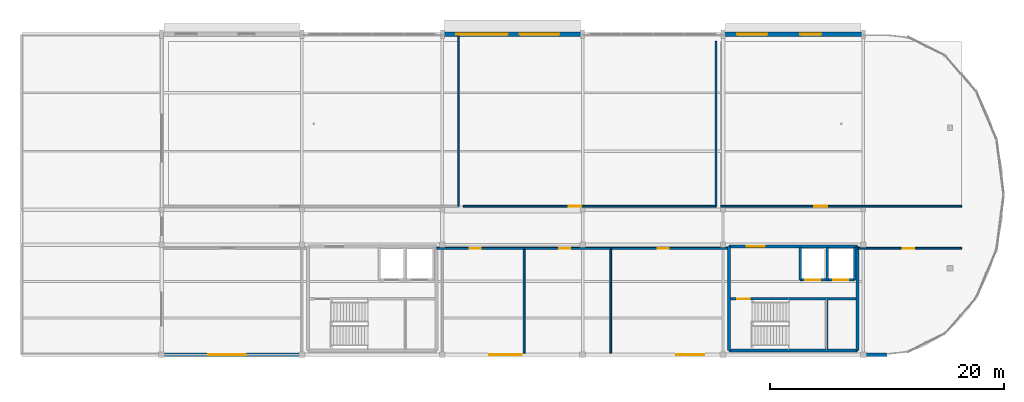
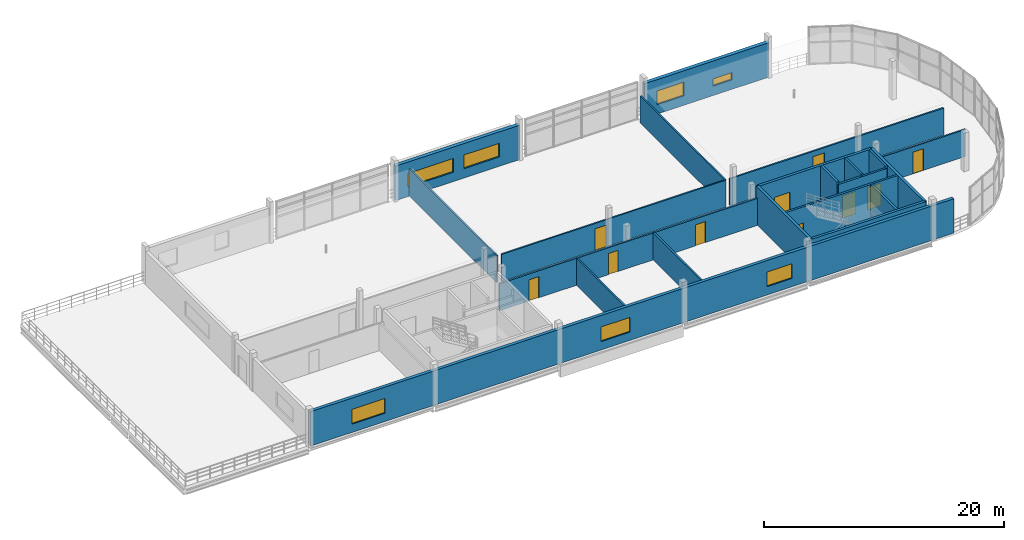
# One storey, part 8 of 13: 23 walls, 10 doors, 7 windows, 17 openings.
"""IFC4 building model written with IfcOpenShell, lengths in metres."""

from ifc_helpers import new_model, si_unit, direction, frame, frame_2d, origin, place, context, subcontext, project, spatial, rectangle, extrude, material, layer, layer_set, type_object, element, fill, save


model = new_model("IFC4")

# Units and contexts
model_context = context("Model", 3, precision=1e-05, world=origin(), true_north=direction((0.0, 1.0)))
body_context = subcontext(model_context, "Body", "Model", "MODEL_VIEW")
ifc_project = project(units=[si_unit("LENGTHUNIT", "METRE"), si_unit("AREAUNIT", "SQUARE_METRE"), si_unit("VOLUMEUNIT", "CUBIC_METRE"), si_unit("PLANEANGLEUNIT", "RADIAN"), si_unit("MASSUNIT", "GRAM", prefix="KILO"), si_unit("THERMODYNAMICTEMPERATUREUNIT", "KELVIN"), si_unit("POWERUNIT", "WATT")], contexts=[model_context])

# Site, building, storey
site_placement = place(None, origin())
site = spatial("IfcSite", under=ifc_project, at=site_placement, CompositionType="ELEMENT")
building_placement = place(site_placement, origin())
building = spatial("IfcBuilding", under=site, at=building_placement, Name="Solmara Park Aquatics Centre", CompositionType="ELEMENT")
storey_placement = place(building_placement, frame((0.0, 0.0, 14.39990234375)))
storey = spatial("IfcBuildingStorey", under=building, at=storey_placement, Name="L03", CompositionType="ELEMENT", Elevation=14.39990234375)

# Wall
ifc_material_1 = material(Name="Double-Stud Acoustic Gypsum Partition", Category="gypsum")
ifc_layer_1 = layer(ifc_material_1, 0.139892578125, Name="Double-Stud Acoustic Gypsum Partition")
ifc_layer_set_1 = layer_set([ifc_layer_1], Name="Double-Stud Acoustic Gypsum Partition")
wall_type_1 = type_object("IfcWallType", Name="ARC-WL-ACU140", PredefinedType="PARTITIONING", material=ifc_layer_set_1)
wall_1_placement = place(storey_placement, frame((62.0, 121.300048828125, 0.0), z_axis=(0.0, 0.0, 1.0), x_axis=(0.0, 1.0, 0.0)))
element("IfcWall", 1, at=wall_1_placement, inside=storey, type_object=wall_type_1, Name="Interior Partition IW-L03-0128 (L03-SEM-01)", PredefinedType="PARTITIONING", context=body_context, shape_type="SweptSolid", body=[
    extrude(rectangle(XDim=14.52490234375, YDim=0.139892578125, at=frame_2d((7.262451171875, 0.0))), origin(), (0.0, 0.0, 1.0), 2.75),
])

# Wall, opening, door
wall_2_placement = place(storey_placement, frame((62.39990234375, 121.300048828125, 0.0), z_axis=(0.0, 0.0, 1.0), x_axis=(1.0, 0.0, 0.0)))
wall_2 = element("IfcWall", 2, at=wall_2_placement, inside=storey, type_object=wall_type_1, Name="Interior Partition IW-L03-0129 (L03-SEM-02)", PredefinedType="PARTITIONING", context=body_context, shape_type="SweptSolid", body=[
    extrude(rectangle(XDim=21.60009765625, YDim=0.139892578125, at=frame_2d((10.800048828125, 0.0))), origin(), (0.0, 0.0, 1.0), 2.75),
])
opening_1_placement = place(wall_2_placement, frame((9.0, 0.0, 0.0)))
opening_1 = element("IfcOpeningElement", 3, at=opening_1_placement, cuts=wall_2, Name="Opening D-15", PredefinedType="OPENING", context=body_context, shape_type="SweptSolid", body=[
    extrude(rectangle(XDim=1.10009765625, YDim=2.199951171875, at=frame_2d((0.550048828125, 1.10009765625))), frame((0.0, 0.079833984375, 0.0), z_axis=(0.0, -1.0, 0.0), x_axis=(1.0, 0.0, 0.0)), (0.0, 0.0, 1.0), 0.159912109375),
])
ifc_material_2 = material(Name="Moisture-Resistant HPL & Hardwood", Category="wood")
door_type_1 = type_object("IfcDoorType", Name="ARC-DR-SGL110x220", OperationType="NOTDEFINED", PredefinedType="DOOR", material=ifc_material_2)
door_1_placement = place(opening_1_placement, origin())
door_1 = element("IfcDoor", 4, at=door_1_placement, inside=storey, type_object=door_type_1, Name="Lifeguard Certification and Water-Safety Seminar Room Door", OperationType="SINGLE_SWING_LEFT", OverallHeight=2.199951171875, OverallWidth=1.10009765625, PredefinedType="DOOR", context=body_context, shape_type="SweptSolid", body=[
    extrude(rectangle(XDim=1.10009765625, YDim=2.199951171875, at=frame_2d((0.550048828125, 1.10009765625))), frame((0.0, 0.02490234375, 0.0), z_axis=(0.0, -1.0, 0.0), x_axis=(1.0, 0.0, 0.0)), (0.0, 0.0, 1.0), 0.050048828125),
])
fill(opening_1, door_1)

# Walls
wall_3_placement = place(storey_placement, frame((84.0, 121.300048828125, 0.0), z_axis=(0.0, 0.0, 1.0), x_axis=(0.0, 1.0, 0.0)))
element("IfcWall", 5, at=wall_3_placement, inside=storey, type_object=wall_type_1, Name="Interior Partition IW-L03-0130 (L03-SEM-02)", PredefinedType="PARTITIONING", context=body_context, shape_type="SweptSolid", body=[
    extrude(rectangle(XDim=14.099853515625, YDim=0.139892578125, at=frame_2d((7.0498046875, 0.0))), origin(), (0.0, 0.0, 1.0), 2.75),
])
ifc_material_3 = material(Name="Concrete C40/50", Category="concrete")
ifc_layer_2 = layer(ifc_material_3, 0.25, Name="Concrete C40/50")
ifc_layer_set_2 = layer_set([ifc_layer_2], Name="Concrete C40/50")
wall_type_2 = type_object("IfcWallType", Name="ARC-WL-CORE250", PredefinedType="SHEAR", material=ifc_layer_set_2)
wall_4_placement = place(storey_placement, frame((85.10009765625, 108.949951171875, 0.0), z_axis=(0.0, 0.0, 1.0), x_axis=(1.0, 0.0, 0.0)))
element("IfcWall", 6, at=wall_4_placement, inside=storey, type_object=wall_type_2, Name="CORE-2 Core Wall S L03", PredefinedType="SHEAR", context=body_context, shape_type="SweptSolid", body=[
    extrude(rectangle(XDim=11.0, YDim=0.25, at=frame_2d((5.5, 0.0))), origin(), (0.0, 0.0, 1.0), 3.860107421875),
])

# Wall, opening, door
wall_5_placement = place(storey_placement, frame((85.10009765625, 117.85009765625, 0.0), z_axis=(0.0, 0.0, 1.0), x_axis=(1.0, 0.0, 0.0)))
wall_5 = element("IfcWall", 7, at=wall_5_placement, inside=storey, type_object=wall_type_2, Name="CORE-2 Core Wall N L03", PredefinedType="SHEAR", context=body_context, shape_type="SweptSolid", body=[
    extrude(rectangle(XDim=11.0, YDim=0.25, at=frame_2d((5.5, 0.0))), origin(), (0.0, 0.0, 1.0), 3.860107421875),
])
opening_2_placement = place(wall_5_placement, frame((1.550048828125, 0.0, 0.0)))
opening_2 = element("IfcOpeningElement", 8, at=opening_2_placement, cuts=wall_5, Name="Opening D-12", PredefinedType="OPENING", context=body_context, shape_type="SweptSolid", body=[
    extrude(rectangle(XDim=1.5, YDim=2.199951171875, at=frame_2d((0.75, 1.10009765625))), frame((0.0, 0.135009765625, 0.0), z_axis=(0.0, -1.0, 0.0), x_axis=(1.0, 0.0, 0.0)), (0.0, 0.0, 1.0), 0.27001953125),
])
door_type_2 = type_object("IfcDoorType", Name="ARC-DR-FD150x220", OperationType="DOUBLE_DOOR_SINGLE_SWING", PredefinedType="DOOR", material=ifc_material_2)
door_2_placement = place(opening_2_placement, origin())
door_2 = element("IfcDoor", 9, at=door_2_placement, inside=storey, type_object=door_type_2, Name="CORE-2 Lobby Entry Fire Door L03", OperationType="DOUBLE_DOOR_SINGLE_SWING", OverallHeight=2.199951171875, OverallWidth=1.5, PredefinedType="DOOR", context=body_context, shape_type="SweptSolid", body=[
    extrude(rectangle(XDim=1.5, YDim=2.199951171875, at=frame_2d((0.75, 1.10009765625))), frame((0.0, 0.02490234375, 0.0), z_axis=(0.0, -1.0, 0.0), x_axis=(1.0, 0.0, 0.0)), (0.0, 0.0, 1.0), 0.050048828125),
])
fill(opening_2, door_2)

# Walls
for number, where, z_axis, x_axis, name in (
    (10, (85.10009765625, 108.949951171875, 0.0), (0.0, 0.0, 1.0), (0.0, 1.0, 0.0), "CORE-2 Core Wall W L03"),
    (11, (96.10009765625, 108.949951171875, 0.0), (0.0, 0.0, 1.0), (0.0, 1.0, 0.0), "CORE-2 Core Wall E L03"),
):
    element("IfcWall", number, at=place(storey_placement, frame(where, z_axis=z_axis, x_axis=x_axis)), inside=storey, type_object=wall_type_2, Name=name, PredefinedType="SHEAR", context=body_context, shape_type="SweptSolid", body=[
        extrude(rectangle(XDim=8.900146484375, YDim=0.25, at=frame_2d((4.4501953125, 0.0))), origin(), (0.0, 0.0, 1.0), 3.860107421875),
    ])

# Wall, openings, windows
ifc_material_4 = material(Name="Insulated Limestone Render Wall", Category="masonry")
ifc_layer_3 = layer(ifc_material_4, 0.300048828125, Name="Insulated Limestone Render Wall")
ifc_layer_set_3 = layer_set([ifc_layer_3], Name="Insulated Limestone Render Wall")
wall_type_3 = type_object("IfcWallType", Name="ARC-WL-EXT300", PredefinedType="SOLIDWALL", material=ifc_layer_set_3)
wall_6_placement = place(storey_placement, frame((36.60009765625, 108.60009765625, 0.0), z_axis=(0.0, 0.0, 1.0), x_axis=(1.0, 0.0, 0.0)))
wall_6 = element("IfcWall", 12, at=wall_6_placement, inside=storey, type_object=wall_type_3, Name="Exterior Facade Wall EW-L03-038", PredefinedType="SOLIDWALL", context=body_context, shape_type="SweptSolid", body=[
    extrude(rectangle(XDim=62.0, YDim=0.300048828125, at=frame_2d((31.0, 0.0))), origin(), (0.0, 0.0, 1.0), 3.510009765625),
])
opening_3_placement = place(wall_6_placement, frame((4.0, 0.0, 0.85009765625)))
opening_3 = element("IfcOpeningElement", 13, at=opening_3_placement, cuts=wall_6, Name="Opening W-14", PredefinedType="OPENING", context=body_context, shape_type="SweptSolid", body=[
    extrude(rectangle(XDim=3.199951171875, YDim=1.5, at=frame_2d((1.60009765625, 0.75))), frame((0.0, 0.159912109375, 0.0), z_axis=(0.0, -1.0, 0.0), x_axis=(1.0, 0.0, 0.0)), (0.0, 0.0, 1.0), 0.320068359375),
])
opening_4_placement = place(wall_6_placement, frame((28.0, 0.0, 0.85009765625)))
opening_4 = element("IfcOpeningElement", 14, at=opening_4_placement, cuts=wall_6, Name="Opening W-15", PredefinedType="OPENING", context=body_context, shape_type="SweptSolid", body=[
    extrude(rectangle(XDim=2.800048828125, YDim=1.5, at=frame_2d((1.39990234375, 0.75))), frame((0.0, 0.159912109375, 0.0), z_axis=(0.0, -1.0, 0.0), x_axis=(1.0, 0.0, 0.0)), (0.0, 0.0, 1.0), 0.320068359375),
])
opening_5_placement = place(wall_6_placement, frame((44.0, 0.0, 0.85009765625)))
opening_5 = element("IfcOpeningElement", 15, at=opening_5_placement, cuts=wall_6, Name="Opening W-16", PredefinedType="OPENING", context=body_context, shape_type="SweptSolid", body=[
    extrude(rectangle(XDim=2.39990234375, YDim=1.5, at=frame_2d((1.199951171875, 0.75))), frame((0.0, 0.159912109375, 0.0), z_axis=(0.0, -1.0, 0.0), x_axis=(1.0, 0.0, 0.0)), (0.0, 0.0, 1.0), 0.320068359375),
])
ifc_material_5 = material(Name="Thermally Broken Aluminium and Low-E Double Glazing", Category="aluminium")
window_type_1 = type_object("IfcWindowType", Name="ARC-WN-240x150", PartitioningType="DOUBLE_PANEL_VERTICAL", PredefinedType="WINDOW", material=ifc_material_5)
window_1_placement = place(opening_5_placement, frame((2.39990234375, 0.0, 0.0), z_axis=(0.0, 0.0, 1.0), x_axis=(-1.0, 0.0, 0.0)))
window_1 = element("IfcWindow", 16, at=window_1_placement, inside=storey, type_object=window_type_1, Name="Ribbon Window WN-094", OverallHeight=1.5, OverallWidth=2.39990234375, PartitioningType="DOUBLE_PANEL_VERTICAL", PredefinedType="WINDOW", context=body_context, shape_type="SweptSolid", body=[
    extrude(rectangle(XDim=2.39990234375, YDim=1.5, at=frame_2d((1.199951171875, 0.75))), frame((0.0, 0.030029296875, 0.0), z_axis=(0.0, -1.0, 0.0), x_axis=(1.0, 0.0, 0.0)), (0.0, 0.0, 1.0), 0.06005859375),
])
fill(opening_5, window_1)
window_type_2 = type_object("IfcWindowType", Name="ARC-WN-280x150", PartitioningType="DOUBLE_PANEL_HORIZONTAL", PredefinedType="WINDOW", material=ifc_material_5)
window_2_placement = place(opening_4_placement, frame((2.800048828125, 0.0, 0.0), z_axis=(0.0, 0.0, 1.0), x_axis=(-1.0, 0.0, 0.0)))
window_2 = element("IfcWindow", 17, at=window_2_placement, inside=storey, type_object=window_type_2, Name="Ribbon Window WN-093", OverallHeight=1.5, OverallWidth=2.800048828125, PartitioningType="DOUBLE_PANEL_HORIZONTAL", PredefinedType="WINDOW", context=body_context, shape_type="SweptSolid", body=[
    extrude(rectangle(XDim=2.800048828125, YDim=1.5, at=frame_2d((1.39990234375, 0.75))), frame((0.0, 0.030029296875, 0.0), z_axis=(0.0, -1.0, 0.0), x_axis=(1.0, 0.0, 0.0)), (0.0, 0.0, 1.0), 0.06005859375),
])
fill(opening_4, window_2)
window_type_3 = type_object("IfcWindowType", Name="ARC-WN-320x150", PartitioningType="DOUBLE_PANEL_HORIZONTAL", PredefinedType="WINDOW", material=ifc_material_5)
window_3_placement = place(opening_3_placement, frame((3.199951171875, 0.0, 0.0), z_axis=(0.0, 0.0, 1.0), x_axis=(-1.0, 0.0, 0.0)))
window_3 = element("IfcWindow", 18, at=window_3_placement, inside=storey, type_object=window_type_3, Name="Ribbon Window WN-092", OverallHeight=1.5, OverallWidth=3.199951171875, PartitioningType="DOUBLE_PANEL_HORIZONTAL", PredefinedType="WINDOW", context=body_context, shape_type="SweptSolid", body=[
    extrude(rectangle(XDim=3.199951171875, YDim=1.5, at=frame_2d((1.60009765625, 0.75))), frame((0.0, 0.030029296875, 0.0), z_axis=(0.0, -1.0, 0.0), x_axis=(1.0, 0.0, 0.0)), (0.0, 0.0, 1.0), 0.06005859375),
])
fill(opening_3, window_3)

ifc_layer_4 = layer(ifc_material_4, 0.35009765625, Name="Insulated Limestone Render Wall")
ifc_layer_set_4 = layer_set([ifc_layer_4], Name="Insulated Limestone Render Wall")
wall_type_4 = type_object("IfcWallType", Name="ARC-WL-EXT350", PredefinedType="SOLIDWALL", material=ifc_layer_set_4)
wall_7_placement = place(storey_placement, frame((60.60009765625, 136.0, 0.0), z_axis=(0.0, 0.0, 1.0), x_axis=(1.0, 0.0, 0.0)))
wall_7 = element("IfcWall", 19, at=wall_7_placement, inside=storey, type_object=wall_type_4, Name="Exterior Facade Wall EW-L03-036", PredefinedType="SOLIDWALL", context=body_context, shape_type="SweptSolid", body=[
    extrude(rectangle(XDim=12.0, YDim=0.35009765625, at=frame_2d((6.0, 0.0))), origin(), (0.0, 0.0, 1.0), 3.510009765625),
])
opening_6_placement = place(wall_7_placement, frame((1.199951171875, 0.0, 0.949951171875)))
opening_6 = element("IfcOpeningElement", 20, at=opening_6_placement, cuts=wall_7, Name="Opening W-27", PredefinedType="OPENING", context=body_context, shape_type="SweptSolid", body=[
    extrude(rectangle(XDim=4.39990234375, YDim=1.39990234375, at=frame_2d((2.199951171875, 0.699951171875))), frame((0.0, 0.18505859375, 0.0), z_axis=(0.0, -1.0, 0.0), x_axis=(1.0, 0.0, 0.0)), (0.0, 0.0, 1.0), 0.3701171875),
])
opening_7_placement = place(wall_7_placement, frame((6.60009765625, 0.0, 0.949951171875)))
opening_7 = element("IfcOpeningElement", 21, at=opening_7_placement, cuts=wall_7, Name="Opening W-28", PredefinedType="OPENING", context=body_context, shape_type="SweptSolid", body=[
    extrude(rectangle(XDim=3.39990234375, YDim=1.39990234375, at=frame_2d((1.699951171875, 0.699951171875))), frame((0.0, 0.18505859375, 0.0), z_axis=(0.0, -1.0, 0.0), x_axis=(1.0, 0.0, 0.0)), (0.0, 0.0, 1.0), 0.3701171875),
])
window_type_4 = type_object("IfcWindowType", Name="ARC-WN-340x140", PartitioningType="DOUBLE_PANEL_HORIZONTAL", PredefinedType="WINDOW", material=ifc_material_5)
window_4_placement = place(opening_7_placement, origin())
window_4 = element("IfcWindow", 22, at=window_4_placement, inside=storey, type_object=window_type_4, Name="Ribbon Window WN-089", OverallHeight=1.39990234375, OverallWidth=3.39990234375, PartitioningType="DOUBLE_PANEL_HORIZONTAL", PredefinedType="WINDOW", context=body_context, shape_type="SweptSolid", body=[
    extrude(rectangle(XDim=3.39990234375, YDim=1.39990234375, at=frame_2d((1.699951171875, 0.699951171875))), frame((0.0, 0.030029296875, 0.0), z_axis=(0.0, -1.0, 0.0), x_axis=(1.0, 0.0, 0.0)), (0.0, 0.0, 1.0), 0.06005859375),
])
fill(opening_7, window_4)
window_type_5 = type_object("IfcWindowType", Name="ARC-WN-440x140", PartitioningType="TRIPLE_PANEL_HORIZONTAL", PredefinedType="WINDOW", material=ifc_material_5)
window_5_placement = place(opening_6_placement, origin())
window_5 = element("IfcWindow", 23, at=window_5_placement, inside=storey, type_object=window_type_5, Name="Ribbon Window WN-088", OverallHeight=1.39990234375, OverallWidth=4.39990234375, PartitioningType="TRIPLE_PANEL_HORIZONTAL", PredefinedType="WINDOW", context=body_context, shape_type="SweptSolid", body=[
    extrude(rectangle(XDim=4.39990234375, YDim=1.39990234375, at=frame_2d((2.199951171875, 0.699951171875))), frame((0.0, 0.030029296875, 0.0), z_axis=(0.0, -1.0, 0.0), x_axis=(1.0, 0.0, 0.0)), (0.0, 0.0, 1.0), 0.06005859375),
])
fill(opening_6, window_5)

wall_8_placement = place(storey_placement, frame((84.60009765625, 136.0, 0.0), z_axis=(0.0, 0.0, 1.0), x_axis=(1.0, 0.0, 0.0)))
wall_8 = element("IfcWall", 24, at=wall_8_placement, inside=storey, type_object=wall_type_4, Name="Exterior Facade Wall EW-L03-037", PredefinedType="SOLIDWALL", context=body_context, shape_type="SweptSolid", body=[
    extrude(rectangle(XDim=12.0, YDim=0.35009765625, at=frame_2d((6.0, 0.0))), origin(), (0.0, 0.0, 1.0), 3.510009765625),
])
opening_8_placement = place(wall_8_placement, frame((1.199951171875, 0.0, 0.949951171875)))
opening_8 = element("IfcOpeningElement", 25, at=opening_8_placement, cuts=wall_8, Name="Opening W-29", PredefinedType="OPENING", context=body_context, shape_type="SweptSolid", body=[
    extrude(rectangle(XDim=2.60009765625, YDim=1.39990234375, at=frame_2d((1.300048828125, 0.699951171875))), frame((0.0, 0.18505859375, 0.0), z_axis=(0.0, -1.0, 0.0), x_axis=(1.0, 0.0, 0.0)), (0.0, 0.0, 1.0), 0.3701171875),
])
opening_9_placement = place(wall_8_placement, frame((6.60009765625, 0.0, 0.949951171875)))
opening_9 = element("IfcOpeningElement", 26, at=opening_9_placement, cuts=wall_8, Name="Opening W-30", PredefinedType="OPENING", context=body_context, shape_type="SweptSolid", body=[
    extrude(rectangle(XDim=1.800048828125, YDim=0.75, at=frame_2d((0.89990234375, 0.375))), frame((0.0, 0.18505859375, 0.0), z_axis=(0.0, -1.0, 0.0), x_axis=(1.0, 0.0, 0.0)), (0.0, 0.0, 1.0), 0.3701171875),
])
window_type_6 = type_object("IfcWindowType", Name="ARC-WN-180x075", PartitioningType="SINGLE_PANEL", PredefinedType="WINDOW", material=ifc_material_5)
window_6_placement = place(opening_9_placement, origin())
window_6 = element("IfcWindow", 27, at=window_6_placement, inside=storey, type_object=window_type_6, Name="Ribbon Window WN-091", OverallHeight=0.75, OverallWidth=1.800048828125, PartitioningType="SINGLE_PANEL", PredefinedType="WINDOW", context=body_context, shape_type="SweptSolid", body=[
    extrude(rectangle(XDim=1.800048828125, YDim=0.75, at=frame_2d((0.89990234375, 0.375))), frame((0.0, 0.030029296875, 0.0), z_axis=(0.0, -1.0, 0.0), x_axis=(1.0, 0.0, 0.0)), (0.0, 0.0, 1.0), 0.06005859375),
])
fill(opening_9, window_6)
window_type_7 = type_object("IfcWindowType", Name="ARC-WN-260x140", PartitioningType="DOUBLE_PANEL_VERTICAL", PredefinedType="WINDOW", material=ifc_material_5)
window_7_placement = place(opening_8_placement, origin())
window_7 = element("IfcWindow", 28, at=window_7_placement, inside=storey, type_object=window_type_7, Name="Ribbon Window WN-090", OverallHeight=1.39990234375, OverallWidth=2.60009765625, PartitioningType="DOUBLE_PANEL_VERTICAL", PredefinedType="WINDOW", context=body_context, shape_type="SweptSolid", body=[
    extrude(rectangle(XDim=2.60009765625, YDim=1.39990234375, at=frame_2d((1.300048828125, 0.699951171875))), frame((0.0, 0.030029296875, 0.0), z_axis=(0.0, -1.0, 0.0), x_axis=(1.0, 0.0, 0.0)), (0.0, 0.0, 1.0), 0.06005859375),
])
fill(opening_8, window_7)

# Wall, openings, doors
ifc_material_6 = material(Name="Concrete C25/30 Autoclaved Aerated Fire Blockwork", Category="masonry")
ifc_layer_5 = layer(ifc_material_6, 0.199951171875, Name="Concrete C25/30 Autoclaved Aerated Fire Blockwork")
ifc_layer_set_5 = layer_set([ifc_layer_5], Name="Concrete C25/30 Autoclaved Aerated Fire Blockwork")
wall_type_5 = type_object("IfcWallType", Name="ARC-WL-FIRE200", PredefinedType="SOLIDWALL", material=ifc_layer_set_5)
wall_9_placement = place(storey_placement, frame((91.199951171875, 115.0, 0.0), z_axis=(0.0, 0.0, 1.0), x_axis=(1.0, 0.0, 0.0)))
wall_9 = element("IfcWall", 29, at=wall_9_placement, inside=storey, type_object=wall_type_5, Name="CORE-2 Lift Shaft Front Wall L03", PredefinedType="SOLIDWALL", context=body_context, shape_type="SweptSolid", body=[
    extrude(rectangle(XDim=4.650146484375, YDim=0.199951171875, at=frame_2d((2.3251953125, 0.0))), origin(), (0.0, 0.0, 1.0), 3.630126953125),
])
opening_10_placement = place(wall_9_placement, frame((2.824951171875, 0.0, 0.0)))
opening_10 = element("IfcOpeningElement", 30, at=opening_10_placement, cuts=wall_9, Name="Opening D-10", PredefinedType="OPENING", context=body_context, shape_type="SweptSolid", body=[
    extrude(rectangle(XDim=1.300048828125, YDim=2.300048828125, at=frame_2d((0.64990234375, 1.14990234375))), frame((0.0, 0.10986328125, 0.0), z_axis=(0.0, -1.0, 0.0), x_axis=(1.0, 0.0, 0.0)), (0.0, 0.0, 1.0), 0.219970703125),
])
opening_11_placement = place(wall_9_placement, frame((0.425048828125, 0.0, 0.0)))
opening_11 = element("IfcOpeningElement", 31, at=opening_11_placement, cuts=wall_9, Name="Opening D-10", PredefinedType="OPENING", context=body_context, shape_type="SweptSolid", body=[
    extrude(rectangle(XDim=1.300048828125, YDim=2.300048828125, at=frame_2d((0.64990234375, 1.14990234375))), frame((0.0, 0.10986328125, 0.0), z_axis=(0.0, -1.0, 0.0), x_axis=(1.0, 0.0, 0.0)), (0.0, 0.0, 1.0), 0.219970703125),
])
ifc_material_7 = material(Name="Stainless Steel", Category="steel")
door_type_3 = type_object("IfcDoorType", Name="ARC-DR-LD130x230", OperationType="DOUBLE_DOOR_SLIDING", PredefinedType="DOOR", material=ifc_material_7)
door_3_placement = place(opening_10_placement, frame((1.300048828125, 0.0, 0.0), z_axis=(0.0, 0.0, 1.0), x_axis=(-1.0, 0.0, 0.0)))
door_3 = element("IfcDoor", 32, at=door_3_placement, inside=storey, type_object=door_type_3, Name="LF-03 Lift Landing Door L03", OperationType="DOUBLE_DOOR_SLIDING", OverallHeight=2.300048828125, OverallWidth=1.300048828125, PredefinedType="DOOR", context=body_context, shape_type="SweptSolid", body=[
    extrude(rectangle(XDim=1.300048828125, YDim=2.300048828125, at=frame_2d((0.64990234375, 1.14990234375))), frame((0.0, 0.02490234375, 0.0), z_axis=(0.0, -1.0, 0.0), x_axis=(1.0, 0.0, 0.0)), (0.0, 0.0, 1.0), 0.050048828125),
])
fill(opening_10, door_3)
door_4_placement = place(opening_11_placement, frame((1.300048828125, 0.0, 0.0), z_axis=(0.0, 0.0, 1.0), x_axis=(-1.0, 0.0, 0.0)))
door_4 = element("IfcDoor", 33, at=door_4_placement, inside=storey, type_object=door_type_3, Name="LF-04 Lift Landing Door L03", OperationType="DOUBLE_DOOR_SLIDING", OverallHeight=2.300048828125, OverallWidth=1.300048828125, PredefinedType="DOOR", context=body_context, shape_type="SweptSolid", body=[
    extrude(rectangle(XDim=1.300048828125, YDim=2.300048828125, at=frame_2d((0.64990234375, 1.14990234375))), frame((0.0, 0.02490234375, 0.0), z_axis=(0.0, -1.0, 0.0), x_axis=(1.0, 0.0, 0.0)), (0.0, 0.0, 1.0), 0.050048828125),
])
fill(opening_11, door_4)

# Walls
for number, where, z_axis, x_axis, name in (
    (34, (93.5, 115.0, 0.0), (0.0, 0.0, 1.0), (0.0, 1.0, 0.0), "LF-03 Lift Shaft W Wall L03"),
    (35, (95.85009765625, 115.0, 0.0), (0.0, 0.0, 1.0), (0.0, 1.0, 0.0), "LF-03 Lift Shaft E Wall L03"),
    (36, (91.199951171875, 115.0, 0.0), (0.0, 0.0, 1.0), (0.0, 1.0, 0.0), "LF-04 Lift Shaft W Wall L03"),
):
    element("IfcWall", number, at=place(storey_placement, frame(where, z_axis=z_axis, x_axis=x_axis)), inside=storey, type_object=wall_type_5, Name=name, PredefinedType="SOLIDWALL", context=body_context, shape_type="SweptSolid", body=[
        extrude(rectangle(XDim=2.75, YDim=0.199951171875, at=frame_2d((1.375, 0.0))), origin(), (0.0, 0.0, 1.0), 3.860107421875),
    ])

# Wall, opening, door
ifc_material_8 = material(Name="Cement-Rendered Masonry Partition", Category="masonry")
ifc_layer_6 = layer(ifc_material_8, 0.14990234375, Name="Cement-Rendered Masonry Partition")
ifc_layer_set_6 = layer_set([ifc_layer_6], Name="Cement-Rendered Masonry Partition")
wall_type_6 = type_object("IfcWallType", Name="ARC-WL-MAS150", PredefinedType="PARTITIONING", material=ifc_layer_set_6)
wall_10_placement = place(storey_placement, frame((84.39990234375, 121.300048828125, 0.0), z_axis=(0.0, 0.0, 1.0), x_axis=(1.0, 0.0, 0.0)))
wall_10 = element("IfcWall", 37, at=wall_10_placement, inside=storey, type_object=wall_type_6, Name="Interior Partition IW-L03-0131 (L03-ADM-01)", PredefinedType="PARTITIONING", context=body_context, shape_type="SweptSolid", body=[
    extrude(rectangle(XDim=20.60009765625, YDim=0.14990234375, at=frame_2d((10.300048828125, 0.0))), origin(), (0.0, 0.0, 1.0), 2.75),
])
opening_12_placement = place(wall_10_placement, frame((8.0, 0.0, 0.0)))
opening_12 = element("IfcOpeningElement", 38, at=opening_12_placement, cuts=wall_10, Name="Opening D-15", PredefinedType="OPENING", context=body_context, shape_type="SweptSolid", body=[
    extrude(rectangle(XDim=1.10009765625, YDim=2.199951171875, at=frame_2d((0.550048828125, 1.10009765625))), frame((0.0, 0.0849609375, 0.0), z_axis=(0.0, -1.0, 0.0), x_axis=(1.0, 0.0, 0.0)), (0.0, 0.0, 1.0), 0.169921875),
])
door_5_placement = place(opening_12_placement, origin())
door_5 = element("IfcDoor", 39, at=door_5_placement, inside=storey, type_object=door_type_1, Name="Aquatics Venue Operations and Event Directorate Door", OperationType="SINGLE_SWING_RIGHT", OverallHeight=2.199951171875, OverallWidth=1.10009765625, PredefinedType="DOOR", context=body_context, shape_type="SweptSolid", body=[
    extrude(rectangle(XDim=1.10009765625, YDim=2.199951171875, at=frame_2d((0.550048828125, 1.10009765625))), frame((0.0, 0.02490234375, 0.0), z_axis=(0.0, -1.0, 0.0), x_axis=(1.0, 0.0, 0.0)), (0.0, 0.0, 1.0), 0.050048828125),
])
fill(opening_12, door_5)

wall_11_placement = place(storey_placement, frame((96.110107421875, 117.699951171875, 0.0), z_axis=(0.0, 0.0, 1.0), x_axis=(1.0, 0.0, 0.0)))
wall_11 = element("IfcWall", 40, at=wall_11_placement, inside=storey, type_object=wall_type_6, Name="Interior Partition IW-L03-0140 (L03-BRD-01)", PredefinedType="PARTITIONING", context=body_context, shape_type="SweptSolid", body=[
    extrude(rectangle(XDim=8.889892578125, YDim=0.14990234375, at=frame_2d((4.44482421875, 0.0))), origin(), (0.0, 0.0, 1.0), 2.75),
])
opening_13_placement = place(wall_11_placement, frame((3.840087890625, 0.0, 0.0)))
opening_13 = element("IfcOpeningElement", 41, at=opening_13_placement, cuts=wall_11, Name="Opening D-16", PredefinedType="OPENING", context=body_context, shape_type="SweptSolid", body=[
    extrude(rectangle(XDim=1.0, YDim=2.199951171875, at=frame_2d((0.5, 1.10009765625))), frame((0.0, 0.0849609375, 0.0), z_axis=(0.0, -1.0, 0.0), x_axis=(1.0, 0.0, 0.0)), (0.0, 0.0, 1.0), 0.169921875),
])
door_type_4 = type_object("IfcDoorType", Name="ARC-DR-SGL100x220", OperationType="NOTDEFINED", PredefinedType="DOOR", material=ifc_material_2)
door_6_placement = place(opening_13_placement, origin())
door_6 = element("IfcDoor", 42, at=door_6_placement, inside=storey, type_object=door_type_4, Name="Technical Jury Deliberation and Timing Calibration Room Door", OperationType="SINGLE_SWING_LEFT", OverallHeight=2.199951171875, OverallWidth=1.0, PredefinedType="DOOR", context=body_context, shape_type="SweptSolid", body=[
    extrude(rectangle(XDim=1.0, YDim=2.199951171875, at=frame_2d((0.5, 1.10009765625))), frame((0.0, 0.02490234375, 0.0), z_axis=(0.0, -1.0, 0.0), x_axis=(1.0, 0.0, 0.0)), (0.0, 0.0, 1.0), 0.050048828125),
])
fill(opening_13, door_6)

# Wall
ifc_material_9 = material(Name="Waterproof Tile-Faced Wet-Area Plumbing Wall", Category="concrete")
ifc_layer_7 = layer(ifc_material_9, 0.159912109375, Name="Waterproof Tile-Faced Wet-Area Plumbing Wall")
ifc_layer_set_7 = layer_set([ifc_layer_7], Name="Waterproof Tile-Faced Wet-Area Plumbing Wall")
wall_type_7 = type_object("IfcWallType", Name="ARC-WL-WET160", PredefinedType="PLUMBINGWALL", material=ifc_layer_set_7)
wall_12_placement = place(storey_placement, frame((67.60009765625, 108.75, 0.0), z_axis=(0.0, 0.0, 1.0), x_axis=(0.0, 1.0, 0.0)))
element("IfcWall", 43, at=wall_12_placement, inside=storey, type_object=wall_type_7, Name="Interior Partition IW-L03-0135 (L03-WCM-01)", PredefinedType="PLUMBINGWALL", context=body_context, shape_type="SweptSolid", body=[
    extrude(rectangle(XDim=8.949951171875, YDim=0.159912109375, at=frame_2d((4.47509765625, 0.0))), origin(), (0.0, 0.0, 1.0), 2.75),
])

# Wall, opening, door
wall_13_placement = place(storey_placement, frame((60.110107421875, 117.699951171875, 0.0), z_axis=(0.0, 0.0, 1.0), x_axis=(1.0, 0.0, 0.0)))
wall_13 = element("IfcWall", 44, at=wall_13_placement, inside=storey, type_object=wall_type_7, Name="Interior Partition IW-L03-0136 (L03-WCM-01)", PredefinedType="PLUMBINGWALL", context=body_context, shape_type="SweptSolid", body=[
    extrude(rectangle(XDim=7.489990234375, YDim=0.159912109375, at=frame_2d((3.7451171875, 0.0))), origin(), (0.0, 0.0, 1.0), 2.75),
])
opening_14_placement = place(wall_13_placement, frame((2.840087890625, 0.0, 0.0)))
opening_14 = element("IfcOpeningElement", 45, at=opening_14_placement, cuts=wall_13, Name="Opening D-18", PredefinedType="OPENING", context=body_context, shape_type="SweptSolid", body=[
    extrude(rectangle(XDim=0.949951171875, YDim=2.14990234375, at=frame_2d((0.47509765625, 1.074951171875))), frame((0.0, 0.08984375, 0.0), z_axis=(0.0, -1.0, 0.0), x_axis=(1.0, 0.0, 0.0)), (0.0, 0.0, 1.0), 0.179931640625),
])
door_type_5 = type_object("IfcDoorType", Name="ARC-DR-WC95x220", OperationType="NOTDEFINED", PredefinedType="DOOR", material=ifc_material_2)
door_7_placement = place(opening_14_placement, origin())
door_7 = element("IfcDoor", 46, at=door_7_placement, inside=storey, type_object=door_type_5, Name="L03 Seminar Male Toilet Door", OperationType="SINGLE_SWING_RIGHT", OverallHeight=2.14990234375, OverallWidth=0.949951171875, PredefinedType="DOOR", context=body_context, shape_type="SweptSolid", body=[
    extrude(rectangle(XDim=0.949951171875, YDim=2.14990234375, at=frame_2d((0.47509765625, 1.074951171875))), frame((0.0, 0.02490234375, 0.0), z_axis=(0.0, -1.0, 0.0), x_axis=(1.0, 0.0, 0.0)), (0.0, 0.0, 1.0), 0.050048828125),
])
fill(opening_14, door_7)

# Wall
wall_14_placement = place(storey_placement, frame((75.0, 108.75, 0.0), z_axis=(0.0, 0.0, 1.0), x_axis=(0.0, 1.0, 0.0)))
element("IfcWall", 47, at=wall_14_placement, inside=storey, type_object=wall_type_7, Name="Interior Partition IW-L03-0137 (L03-WCF-01)", PredefinedType="PLUMBINGWALL", context=body_context, shape_type="SweptSolid", body=[
    extrude(rectangle(XDim=8.949951171875, YDim=0.159912109375, at=frame_2d((4.47509765625, 0.0))), origin(), (0.0, 0.0, 1.0), 2.75),
])

# Wall, opening, door
wall_15_placement = place(storey_placement, frame((67.610107421875, 117.699951171875, 0.0), z_axis=(0.0, 0.0, 1.0), x_axis=(1.0, 0.0, 0.0)))
wall_15 = element("IfcWall", 48, at=wall_15_placement, inside=storey, type_object=wall_type_7, Name="Interior Partition IW-L03-0138 (L03-WCF-01)", PredefinedType="PLUMBINGWALL", context=body_context, shape_type="SweptSolid", body=[
    extrude(rectangle(XDim=7.389892578125, YDim=0.159912109375, at=frame_2d((3.69482421875, 0.0))), origin(), (0.0, 0.0, 1.0), 2.75),
])
opening_15_placement = place(wall_15_placement, frame((2.989990234375, 0.0, 0.0)))
opening_15 = element("IfcOpeningElement", 49, at=opening_15_placement, cuts=wall_15, Name="Opening D-18", PredefinedType="OPENING", context=body_context, shape_type="SweptSolid", body=[
    extrude(rectangle(XDim=0.949951171875, YDim=2.14990234375, at=frame_2d((0.47509765625, 1.074951171875))), frame((0.0, 0.08984375, 0.0), z_axis=(0.0, -1.0, 0.0), x_axis=(1.0, 0.0, 0.0)), (0.0, 0.0, 1.0), 0.179931640625),
])
door_8_placement = place(opening_15_placement, origin())
door_8 = element("IfcDoor", 50, at=door_8_placement, inside=storey, type_object=door_type_5, Name="L03 Seminar Female Toilet Door", OperationType="SINGLE_SWING_LEFT", OverallHeight=2.14990234375, OverallWidth=0.949951171875, PredefinedType="DOOR", context=body_context, shape_type="SweptSolid", body=[
    extrude(rectangle(XDim=0.949951171875, YDim=2.14990234375, at=frame_2d((0.47509765625, 1.074951171875))), frame((0.0, 0.02490234375, 0.0), z_axis=(0.0, -1.0, 0.0), x_axis=(1.0, 0.0, 0.0)), (0.0, 0.0, 1.0), 0.050048828125),
])
fill(opening_15, door_8)

wall_16_placement = place(storey_placement, frame((75.010009765625, 117.699951171875, 0.0), z_axis=(0.0, 0.0, 1.0), x_axis=(1.0, 0.0, 0.0)))
wall_16 = element("IfcWall", 51, at=wall_16_placement, inside=storey, type_object=wall_type_7, Name="Interior Partition IW-L03-0139 (L03-WCA-01)", PredefinedType="PLUMBINGWALL", context=body_context, shape_type="SweptSolid", body=[
    extrude(rectangle(XDim=9.965087890625, YDim=0.159912109375, at=frame_2d((4.982421875, 0.0))), origin(), (0.0, 0.0, 1.0), 2.75),
])
opening_16_placement = place(wall_16_placement, frame((3.989990234375, 0.0, 0.0)))
opening_16 = element("IfcOpeningElement", 52, at=opening_16_placement, cuts=wall_16, Name="Opening D-18", PredefinedType="OPENING", context=body_context, shape_type="SweptSolid", body=[
    extrude(rectangle(XDim=0.949951171875, YDim=2.14990234375, at=frame_2d((0.47509765625, 1.074951171875))), frame((0.0, 0.08984375, 0.0), z_axis=(0.0, -1.0, 0.0), x_axis=(1.0, 0.0, 0.0)), (0.0, 0.0, 1.0), 0.179931640625),
])
door_9_placement = place(opening_16_placement, origin())
door_9 = element("IfcDoor", 53, at=door_9_placement, inside=storey, type_object=door_type_5, Name="L03 Accessible WC Door", OperationType="SINGLE_SWING_RIGHT", OverallHeight=2.14990234375, OverallWidth=0.949951171875, PredefinedType="DOOR", context=body_context, shape_type="SweptSolid", body=[
    extrude(rectangle(XDim=0.949951171875, YDim=2.14990234375, at=frame_2d((0.47509765625, 1.074951171875))), frame((0.0, 0.02490234375, 0.0), z_axis=(0.0, -1.0, 0.0), x_axis=(1.0, 0.0, 0.0)), (0.0, 0.0, 1.0), 0.050048828125),
])
fill(opening_16, door_9)

ifc_material_10 = material(Name="Concrete C35/45", Category="concrete")
ifc_layer_8 = layer(ifc_material_10, 0.199951171875, Name="Concrete C35/45")
ifc_layer_set_8 = layer_set([ifc_layer_8], Name="Concrete C35/45")
wall_type_8 = type_object("IfcWallType", Name="STR-WL-STAIR200", PredefinedType="SHEAR", material=ifc_layer_set_8)
wall_17_placement = place(storey_placement, frame((85.219970703125, 113.375, 0.0), z_axis=(0.0, 0.0, 1.0), x_axis=(1.0, 0.0, 0.0)))
wall_17 = element("IfcWall", 54, at=wall_17_placement, inside=storey, type_object=wall_type_8, Name="CORE-2 Stairwell Compartment Wall L03", PredefinedType="SHEAR", context=body_context, shape_type="SweptSolid", body=[
    extrude(rectangle(XDim=10.760009765625, YDim=0.199951171875, at=frame_2d((5.3798828125, 0.0))), origin(), (0.0, 0.0, 1.0), 3.860107421875),
])
opening_17_placement = place(wall_17_placement, frame((0.580078125, 0.0, 0.0)))
opening_17 = element("IfcOpeningElement", 55, at=opening_17_placement, cuts=wall_17, Name="Opening D-11", PredefinedType="OPENING", context=body_context, shape_type="SweptSolid", body=[
    extrude(rectangle(XDim=1.10009765625, YDim=2.199951171875, at=frame_2d((0.550048828125, 1.10009765625))), frame((0.0, 0.10986328125, 0.0), z_axis=(0.0, -1.0, 0.0), x_axis=(1.0, 0.0, 0.0)), (0.0, 0.0, 1.0), 0.219970703125),
])
door_type_6 = type_object("IfcDoorType", Name="ARC-DR-FD110x220", OperationType="NOTDEFINED", PredefinedType="DOOR", material=ifc_material_2)
door_10_placement = place(opening_17_placement, origin())
door_10 = element("IfcDoor", 56, at=door_10_placement, inside=storey, type_object=door_type_6, Name="ST-02 Fire Door L03", OperationType="SINGLE_SWING_LEFT", OverallHeight=2.199951171875, OverallWidth=1.10009765625, PredefinedType="DOOR", context=body_context, shape_type="SweptSolid", body=[
    extrude(rectangle(XDim=1.10009765625, YDim=2.199951171875, at=frame_2d((0.550048828125, 1.10009765625))), frame((0.0, 0.02490234375, 0.0), z_axis=(0.0, -1.0, 0.0), x_axis=(1.0, 0.0, 0.0)), (0.0, 0.0, 1.0), 0.050048828125),
])
fill(opening_17, door_10)

# Wall
wall_18_placement = place(storey_placement, frame((93.4599609375, 109.070068359375, 0.0), z_axis=(0.0, 0.0, 1.0), x_axis=(0.0, 1.0, 0.0)))
element("IfcWall", 57, at=wall_18_placement, inside=storey, type_object=wall_type_8, Name="CORE-2 Stairwell East End Wall L03", PredefinedType="SHEAR", context=body_context, shape_type="SweptSolid", body=[
    extrude(rectangle(XDim=4.204833984375, YDim=0.199951171875, at=frame_2d((2.1025390625, 0.0))), origin(), (0.0, 0.0, 1.0), 3.860107421875),
])

save(model, "model.ifc")
